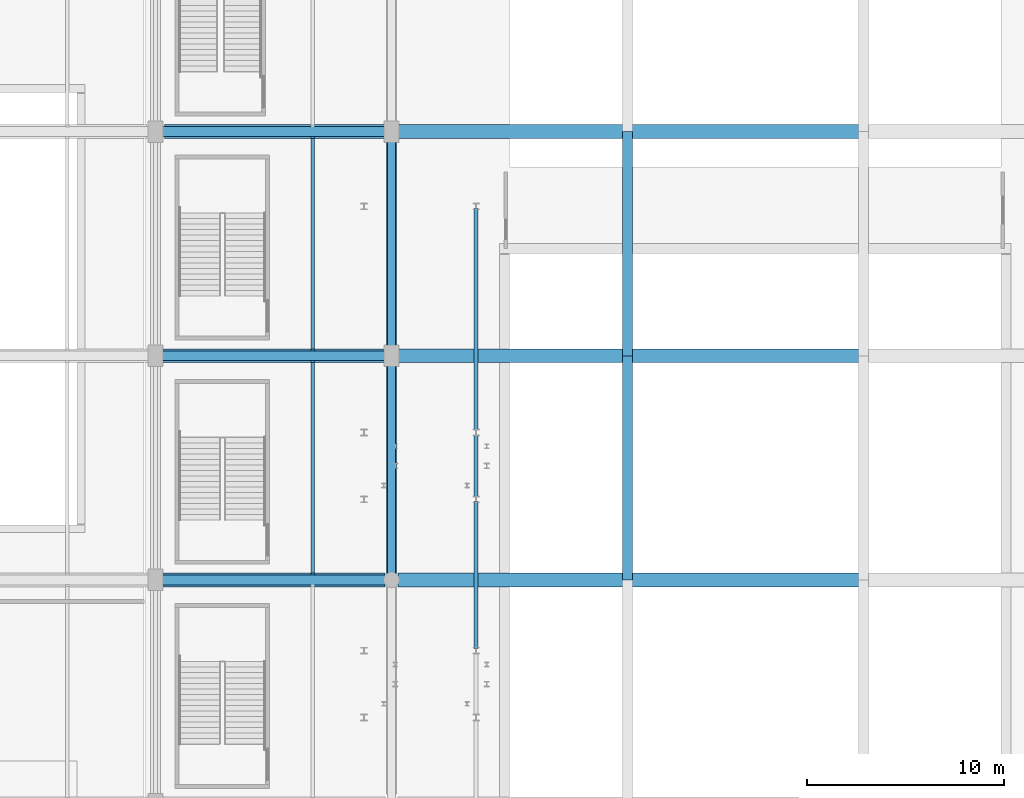
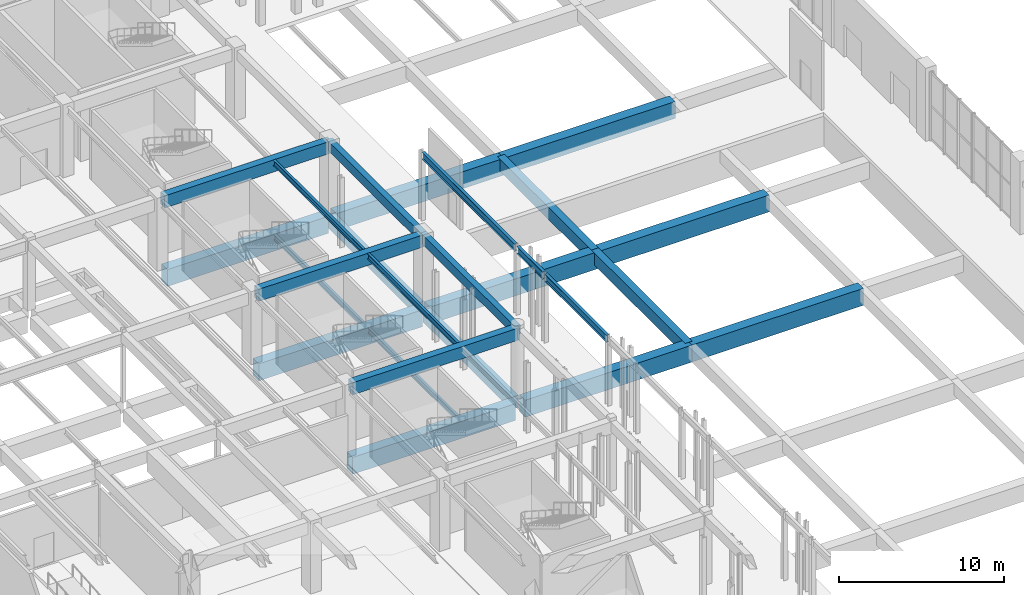
# One storey, part 65 of 113: 25 beams.
"""IFC4 building model written with IfcOpenShell, lengths in metres."""

import ifcopenshell
import ifcopenshell.guid

model = None  # the IFC model being written
_history = None  # IfcOwnerHistory: only IFC2X3 demands one
_inside = {}  # id of a spatial element -> (the spatial element, [elements in it])
_under = {}  # id of a project, library or spatial element -> (it, [spatial elements below it])
_declared = {}  # id of a project -> (the project, [libraries it declares])
_typed = {}  # id of a type object -> (the type object, [elements of that type])
_made_of = {}  # id of a material, layer set ... -> (it, [elements and type objects made of it])


def new_model(schema):
    """Start an empty IFC model of exactly this schema.

    Asked for "IFC4X3", IfcOpenShell would pick the latest addendum, in which some entities
    have other attributes; the version numbers below select the first issue.
    IFC2X3 requires an IfcOwnerHistory on every rooted entity: one is made here for all.
    """
    global model, _history
    if schema == "IFC4X3":
        model = ifcopenshell.file(schema_version=(4, 3, 0, 0))
    else:
        model = ifcopenshell.file(schema=schema)
    _inside.clear()
    _under.clear()
    _declared.clear()
    _typed.clear()
    _made_of.clear()
    _history = None
    if model.schema == "IFC2X3":
        org = make("IfcOrganization", Name="unknown")
        user = make(
            "IfcPersonAndOrganization",
            ThePerson=make("IfcPerson", FamilyName="unknown"),
            TheOrganization=org,
        )
        app = make(
            "IfcApplication",
            ApplicationDeveloper=org,
            Version="unknown",
            ApplicationFullName="unknown",
            ApplicationIdentifier="unknown",
        )
        _history = make(
            "IfcOwnerHistory",
            OwningUser=user,
            OwningApplication=app,
            ChangeAction="ADDED",
            CreationDate=0,
        )
    return model


def make(cls, **values):
    """One entity of the class cls with the attributes given. An attribute that is None is left unset."""
    return model.create_entity(
        cls, **{name: value for name, value in values.items() if value is not None}
    )


def rooted(cls, **values):
    """An entity with a GlobalId (a new one), such as an element, a storey or a relation."""
    return make(cls, GlobalId=ifcopenshell.guid.new(), OwnerHistory=_history, **values)


def si_unit(unit_type, name, prefix=None):
    """IfcSIUnit, for example si_unit("LENGTHUNIT", "METRE", prefix="MILLI")."""
    return make("IfcSIUnit", UnitType=unit_type, Prefix=prefix, Name=name)


def assignment(units):
    """IfcUnitAssignment: the units of a project."""
    return None if units is None else make("IfcUnitAssignment", Units=units)


def point(xyz):
    """IfcCartesianPoint."""
    return None if xyz is None else make("IfcCartesianPoint", Coordinates=xyz)


def direction(xyz):
    """IfcDirection."""
    return None if xyz is None else make("IfcDirection", DirectionRatios=xyz)


def frame(location, z_axis=None, x_axis=None):
    """IfcAxis2Placement3D, a coordinate frame: its origin and axes. An axis left out is left unset."""
    return make(
        "IfcAxis2Placement3D",
        Location=point(location),
        Axis=direction(z_axis),
        RefDirection=direction(x_axis),
    )


def frame_2d(location, x_axis=None):
    """IfcAxis2Placement2D, a coordinate frame in the plane: its origin and x axis."""
    return make(
        "IfcAxis2Placement2D", Location=point(location), RefDirection=direction(x_axis)
    )


def origin():
    """The frame at (0, 0, 0) with its axes left unset."""
    return frame((0.0, 0.0, 0.0))


def origin_2d():
    """The frame at (0, 0) in the plane with its x axis left unset."""
    return frame_2d((0.0, 0.0))


def place(relative_to, where):
    """IfcLocalPlacement: puts the frame where relative to a parent placement (None: the world)."""
    return make(
        "IfcLocalPlacement", PlacementRelTo=relative_to, RelativePlacement=where
    )


def context(
    kind, dimensions, precision=None, world=None, true_north=None, identifier=None
):
    """IfcGeometricRepresentationContext, for example the 3D "Model" context."""
    return make(
        "IfcGeometricRepresentationContext",
        ContextIdentifier=identifier,
        ContextType=kind,
        CoordinateSpaceDimension=dimensions,
        Precision=precision,
        WorldCoordinateSystem=world,
        TrueNorth=true_north,
    )


def subcontext(parent, identifier, kind, view, scale=None):
    """IfcGeometricRepresentationSubContext, for example "Body" below "Model"."""
    return make(
        "IfcGeometricRepresentationSubContext",
        ContextIdentifier=identifier,
        ContextType=kind,
        ParentContext=parent,
        TargetScale=scale,
        TargetView=view,
    )


def project(units=None, contexts=None):
    """IfcProject with its units and contexts."""
    return rooted(
        "IfcProject",
        Name="project",
        RepresentationContexts=contexts,
        UnitsInContext=assignment(units),
    )


def spatial(cls, under=None, at=None, **own):
    """A site, building, storey or space (cls), placed at a placement, below another one or the project."""
    s = rooted(cls, ObjectPlacement=at, **own)
    if under is not None:
        _under.setdefault(under.id(), (under, []))[1].append(s)
    return s


def profile(cls, at=None, kind="AREA", **sizes):
    """A parametric profile (cls). Its sizes go by their IFC names, for example OverallWidth=200.0."""
    return make(cls, ProfileType=kind, Position=at, **sizes)


def rectangle(**sizes):
    """IfcRectangleProfileDef."""
    return profile("IfcRectangleProfileDef", **sizes)


def i_section(**sizes):
    """IfcIShapeProfileDef."""
    return profile("IfcIShapeProfileDef", **sizes)


def extrude(swept, where, along, depth):
    """IfcExtrudedAreaSolid: the profile swept, set in the frame where, extruded along a direction by depth."""
    return make(
        "IfcExtrudedAreaSolid",
        SweptArea=swept,
        Position=where,
        ExtrudedDirection=direction(along),
        Depth=depth,
    )


def shape(context_of_items, identifier, shape_type, items):
    """IfcShapeRepresentation: the items that make up one representation, for example the "Body"."""
    return make(
        "IfcShapeRepresentation",
        ContextOfItems=context_of_items,
        RepresentationIdentifier=identifier,
        RepresentationType=shape_type,
        Items=items,
    )


def material(Name=None, Category=None):
    """IfcMaterial."""
    return make("IfcMaterial", Name=Name, Category=Category)


def material_profile(
    of_material, cross_section, Name=None, Category=None, Priority=None
):
    """IfcMaterialProfile: a cross section and its material."""
    return make(
        "IfcMaterialProfile",
        Name=Name,
        Material=of_material,
        Profile=cross_section,
        Priority=Priority,
        Category=Category,
    )


def profile_set(profiles, Name=None, composite=None):
    """IfcMaterialProfileSet."""
    return make(
        "IfcMaterialProfileSet",
        Name=Name,
        MaterialProfiles=profiles,
        CompositeProfile=composite,
    )


def made_of(thing, what):
    """Note that an element or type object is made of a material, layer set ...; save() writes the relation."""
    if what is not None:
        _made_of.setdefault(what.id(), (what, []))[1].append(thing)
    return thing


def type_object(cls, material=None, **own):
    """A type object (cls), such as IfcWallType, which elements share."""
    return made_of(rooted(cls, **own), material)


def element(
    cls,
    number,
    at=None,
    inside=None,
    cuts=None,
    type_object=None,
    material=None,
    context=None,
    identifier="Body",
    shape_type=None,
    held_by="IfcProductDefinitionShape",
    body=None,
    shapes=None,
    **own,
):
    """One element of the class cls, such as IfcWall. Its Tag is "e" and its number.

    at: its placement. inside: the storey or other place that contains it. cuts: it is an
    opening in that element (IfcRelVoidsElement). A single representation is given by context,
    identifier, shape_type and body (its items); several are given by shapes. held_by: the class
    of the entity that holds the representations. save() writes the other relations.
    """
    e = rooted(cls, Tag="e%d" % number, ObjectPlacement=at, **own)
    if body is not None:
        shapes = [shape(context, identifier, shape_type, body)]
    if shapes is not None:
        e.Representation = make(held_by, Representations=shapes)
    if inside is not None:
        _inside.setdefault(inside.id(), (inside, []))[1].append(e)
    if cuts is not None:
        rooted(
            "IfcRelVoidsElement", RelatingBuildingElement=cuts, RelatedOpeningElement=e
        )
    if type_object is not None:
        _typed.setdefault(type_object.id(), (type_object, []))[1].append(e)
    return made_of(e, material)


def aggregate(whole, parts):
    """IfcRelAggregates: a whole, such as a stair, and the parts it consists of."""
    return rooted("IfcRelAggregates", RelatingObject=whole, RelatedObjects=parts)


def save(model, path):
    """Write the relations noted so far, then the file.

    IfcRelAggregates (storeys below a building ...), IfcRelContainedInSpatialStructure (elements
    in a storey), IfcRelDefinesByType, IfcRelAssociatesMaterial and IfcRelDeclares: one each for
    every whole, place, type object, material and project.
    """
    for whole, parts in _under.values():
        aggregate(whole, parts)
    for where, things in _inside.values():
        rooted(
            "IfcRelContainedInSpatialStructure",
            RelatedElements=things,
            RelatingStructure=where,
        )
    for kind, things in _typed.values():
        rooted("IfcRelDefinesByType", RelatedObjects=things, RelatingType=kind)
    for what, things in _made_of.values():
        rooted("IfcRelAssociatesMaterial", RelatedObjects=things, RelatingMaterial=what)
    for by, libraries in _declared.values():
        rooted("IfcRelDeclares", RelatingContext=by, RelatedDefinitions=libraries)
    model.write(path)


model = new_model("IFC4")

# Units and contexts
model_context = context("Model", 3, precision=1e-05, world=origin(), true_north=direction((0.0, 1.0)))
body_context = subcontext(model_context, "Body", "Model", "MODEL_VIEW")
ifc_project = project(units=[si_unit("LENGTHUNIT", "METRE"), si_unit("AREAUNIT", "SQUARE_METRE"), si_unit("VOLUMEUNIT", "CUBIC_METRE"), si_unit("PLANEANGLEUNIT", "RADIAN"), si_unit("MASSUNIT", "GRAM", prefix="KILO"), si_unit("POWERUNIT", "WATT"), si_unit("THERMODYNAMICTEMPERATUREUNIT", "KELVIN")], contexts=[model_context])

# Site, building, storey
site_placement = place(None, origin())
site = spatial("IfcSite", under=ifc_project, at=site_placement, CompositionType="ELEMENT")
building_placement = place(site_placement, origin())
building = spatial("IfcBuilding", under=site, at=building_placement, Name="Kelmbourne Parkland Aquatics Centre", CompositionType="ELEMENT")
storey_placement = place(building_placement, origin())
storey = spatial("IfcBuildingStorey", under=building, at=storey_placement, Name="L00", CompositionType="ELEMENT", Elevation=0.0)

# Beams
ifc_material_1 = material(Name="Concrete C40/50", Category="concrete")
ifc_material_profile_1 = material_profile(ifc_material_1, rectangle(XDim=0.5, YDim=0.89990234375, at=origin_2d()), Name="RC 500x900")
ifc_profile_set_1 = profile_set([ifc_material_profile_1], Name="Concrete C40/50")
beam_type_1 = type_object("IfcBeamType", Name="BM-G03", PredefinedType="BEAM", material=ifc_profile_set_1)
beam_1_placement = place(storey_placement, frame((140.0, 69.530029296875, -0.72998046875), z_axis=(0.0, 1.0, 0.0), x_axis=(-1.0, 0.0, 0.0)))
element("IfcBeam", 1, at=beam_1_placement, inside=storey, type_object=beam_type_1, Name="Primary girder 10-11 Grid Q (L00)", PredefinedType="BEAM", context=body_context, shape_type="SweptSolid", body=[
    extrude(rectangle(XDim=0.5, YDim=0.89990234375, at=origin_2d()), origin(), (0.0, 0.0, 1.0), 10.6650390625),
])
beam_2_placement = place(storey_placement, frame((140.0, 81.0048828125, -0.72998046875), z_axis=(0.0, 1.0, 0.0), x_axis=(-1.0, 0.0, 0.0)))
element("IfcBeam", 2, at=beam_2_placement, inside=storey, type_object=beam_type_1, Name="Primary girder 11-12 Grid Q (L00)", PredefinedType="BEAM", context=body_context, shape_type="SweptSolid", body=[
    extrude(rectangle(XDim=0.5, YDim=0.89990234375, at=origin_2d()), origin(), (0.0, 0.0, 1.0), 10.715087890625),
])
beam_3_placement = place(storey_placement, frame((152.0, 69.199951171875, -0.72998046875), z_axis=(0.0, 1.0, 0.0), x_axis=(-1.0, 0.0, 0.0)))
element("IfcBeam", 3, at=beam_3_placement, inside=storey, type_object=beam_type_1, Name="Primary girder 10-11 Grid R (L00)", PredefinedType="BEAM", context=body_context, shape_type="SweptSolid", body=[
    extrude(rectangle(XDim=0.5, YDim=0.89990234375, at=origin_2d()), origin(), (0.0, 0.0, 1.0), 11.400146484375),
])
beam_4_placement = place(storey_placement, frame((152.0, 80.60009765625, -0.72998046875), z_axis=(0.0, 1.0, 0.0), x_axis=(-1.0, 0.0, 0.0)))
element("IfcBeam", 4, at=beam_4_placement, inside=storey, type_object=beam_type_1, Name="Primary girder 11-12 Grid R (L00)", PredefinedType="BEAM", context=body_context, shape_type="SweptSolid", body=[
    extrude(rectangle(XDim=0.5, YDim=0.89990234375, at=origin_2d()), origin(), (0.0, 0.0, 1.0), 11.39990234375),
])
for number, where, z_axis, x_axis, name in (
    (5, (128.330078125, 69.199951171875, 4.7099609375), (1.0, 0.0, 0.0), (0.0, 1.0, 0.0), "Primary girder P-Q Grid 10 (L01)"),
    (6, (128.330078125, 80.60009765625, 4.7099609375), (1.0, 0.0, 0.0), (0.0, 1.0, 0.0), "Primary girder P-Q Grid 11 (L01)"),
    (7, (128.330078125, 92.0, 4.7099609375), (1.0, 0.0, 0.0), (0.0, 1.0, 0.0), "Primary girder P-Q Grid 12 (L01)"),
):
    element("IfcBeam", number, at=place(storey_placement, frame(where, z_axis=z_axis, x_axis=x_axis)), inside=storey, type_object=beam_type_1, Name=name, PredefinedType="BEAM", context=body_context, shape_type="SweptSolid", body=[
        extrude(rectangle(XDim=0.5, YDim=0.89990234375, at=origin_2d()), origin(), (0.0, 0.0, 1.0), 11.669921875),
    ])
ifc_material_profile_2 = material_profile(ifc_material_1, rectangle(XDim=0.39990234375, YDim=0.699951171875, at=origin_2d()), Name="RC 400x700")
ifc_profile_set_2 = profile_set([ifc_material_profile_2], Name="Concrete C40/50")
beam_type_2 = type_object("IfcBeamType", Name="BM-G05", PredefinedType="BEAM", material=ifc_profile_set_2)
beam_5_placement = place(storey_placement, frame((140.0, 69.199951171875, 4.81005859375), z_axis=(0.0, 1.0, 0.0), x_axis=(-1.0, 0.0, 0.0)))
element("IfcBeam", 8, at=beam_5_placement, inside=storey, type_object=beam_type_2, Name="Primary girder 10-11 Grid Q (L01)", PredefinedType="BEAM", context=body_context, shape_type="SweptSolid", body=[
    extrude(rectangle(XDim=0.39990234375, YDim=0.699951171875, at=origin_2d()), origin(), (0.0, 0.0, 1.0), 11.400146484375),
])
beam_6_placement = place(storey_placement, frame((140.0, 80.60009765625, 4.81005859375), z_axis=(0.0, 1.0, 0.0), x_axis=(-1.0, 0.0, 0.0)))
element("IfcBeam", 9, at=beam_6_placement, inside=storey, type_object=beam_type_2, Name="Primary girder 11-12 Grid Q (L01)", PredefinedType="BEAM", context=body_context, shape_type="SweptSolid", body=[
    extrude(rectangle(XDim=0.39990234375, YDim=0.699951171875, at=origin_2d()), origin(), (0.0, 0.0, 1.0), 11.39990234375),
])
ifc_material_2 = material(Name="Concrete C50/60", Category="concrete")
ifc_material_profile_3 = material_profile(ifc_material_2, rectangle(XDim=0.699951171875, YDim=1.25, at=origin_2d()), Name="RC 700x1250")
ifc_profile_set_3 = profile_set([ifc_material_profile_3], Name="Concrete C50/60")
beam_type_3 = type_object("IfcBeamType", Name="BM-G08", PredefinedType="BEAM", material=ifc_profile_set_3)
beam_7_placement = place(storey_placement, frame((128.2548828125, 69.199951171875, -0.905029296875), z_axis=(1.0, 0.0, 0.0), x_axis=(0.0, 1.0, 0.0)))
element("IfcBeam", 10, at=beam_7_placement, inside=storey, type_object=beam_type_3, Name="Primary girder P-Q Grid 10 (L00)", PredefinedType="BEAM", context=body_context, shape_type="SweptSolid", body=[
    extrude(rectangle(XDim=0.699951171875, YDim=1.25, at=origin_2d()), origin(), (0.0, 0.0, 1.0), 11.4150390625),
])
beam_8_placement = place(storey_placement, frame((140.330078125, 69.199951171875, -0.905029296875), z_axis=(1.0, 0.0, 0.0), x_axis=(0.0, 1.0, 0.0)))
element("IfcBeam", 11, at=beam_8_placement, inside=storey, type_object=beam_type_3, Name="Primary girder Q-R Grid 10 (L00)", PredefinedType="BEAM", context=body_context, shape_type="SweptSolid", body=[
    extrude(rectangle(XDim=0.699951171875, YDim=1.25, at=origin_2d()), origin(), (0.0, 0.0, 1.0), 11.669921875),
])
beam_9_placement = place(storey_placement, frame((152.0, 69.199951171875, -0.905029296875), z_axis=(1.0, 0.0, 0.0), x_axis=(0.0, 1.0, 0.0)))
element("IfcBeam", 12, at=beam_9_placement, inside=storey, type_object=beam_type_3, Name="Primary girder R-S Grid 10 (L00)", PredefinedType="BEAM", context=body_context, shape_type="SweptSolid", body=[
    extrude(rectangle(XDim=0.699951171875, YDim=1.25, at=origin_2d()), origin(), (0.0, 0.0, 1.0), 12.0),
])
beam_10_placement = place(storey_placement, frame((128.280029296875, 80.60009765625, -0.905029296875), z_axis=(1.0, 0.0, 0.0), x_axis=(0.0, 1.0, 0.0)))
element("IfcBeam", 13, at=beam_10_placement, inside=storey, type_object=beam_type_3, Name="Primary girder P-Q Grid 11 (L00)", PredefinedType="BEAM", context=body_context, shape_type="SweptSolid", body=[
    extrude(rectangle(XDim=0.699951171875, YDim=1.25, at=origin_2d()), origin(), (0.0, 0.0, 1.0), 11.465087890625),
])
beam_11_placement = place(storey_placement, frame((140.2548828125, 80.60009765625, -0.905029296875), z_axis=(1.0, 0.0, 0.0), x_axis=(0.0, 1.0, 0.0)))
element("IfcBeam", 14, at=beam_11_placement, inside=storey, type_object=beam_type_3, Name="Primary girder Q-R Grid 11 (L00)", PredefinedType="BEAM", context=body_context, shape_type="SweptSolid", body=[
    extrude(rectangle(XDim=0.699951171875, YDim=1.25, at=origin_2d()), origin(), (0.0, 0.0, 1.0), 11.7451171875),
])
beam_12_placement = place(storey_placement, frame((152.0, 80.60009765625, -0.905029296875), z_axis=(1.0, 0.0, 0.0), x_axis=(0.0, 1.0, 0.0)))
element("IfcBeam", 15, at=beam_12_placement, inside=storey, type_object=beam_type_3, Name="Primary girder R-S Grid 11 (L00)", PredefinedType="BEAM", context=body_context, shape_type="SweptSolid", body=[
    extrude(rectangle(XDim=0.699951171875, YDim=1.25, at=origin_2d()), origin(), (0.0, 0.0, 1.0), 12.0),
])
beam_13_placement = place(storey_placement, frame((128.455078125, 92.0, -0.905029296875), z_axis=(1.0, 0.0, 0.0), x_axis=(0.0, 1.0, 0.0)))
element("IfcBeam", 16, at=beam_13_placement, inside=storey, type_object=beam_type_3, Name="Primary girder P-Q Grid 12 (L00)", PredefinedType="BEAM", context=body_context, shape_type="SweptSolid", body=[
    extrude(rectangle(XDim=0.699951171875, YDim=1.25, at=origin_2d()), origin(), (0.0, 0.0, 1.0), 11.264892578125),
])
beam_14_placement = place(storey_placement, frame((140.280029296875, 92.0, -0.905029296875), z_axis=(1.0, 0.0, 0.0), x_axis=(0.0, 1.0, 0.0)))
element("IfcBeam", 17, at=beam_14_placement, inside=storey, type_object=beam_type_3, Name="Primary girder Q-R Grid 12 (L00)", PredefinedType="BEAM", context=body_context, shape_type="SweptSolid", body=[
    extrude(rectangle(XDim=0.699951171875, YDim=1.25, at=origin_2d()), origin(), (0.0, 0.0, 1.0), 11.719970703125),
])
beam_15_placement = place(storey_placement, frame((152.0, 92.0, -0.905029296875), z_axis=(1.0, 0.0, 0.0), x_axis=(0.0, 1.0, 0.0)))
element("IfcBeam", 18, at=beam_15_placement, inside=storey, type_object=beam_type_3, Name="Primary girder R-S Grid 12 (L00)", PredefinedType="BEAM", context=body_context, shape_type="SweptSolid", body=[
    extrude(rectangle(XDim=0.699951171875, YDim=1.25, at=origin_2d()), origin(), (0.0, 0.0, 1.0), 12.0),
])
ifc_material_3 = material(Name="Structural steel AS/NZS 3679.1 Grade 300", Category="steel")
ifc_material_profile_4 = material_profile(ifc_material_3, i_section(OverallWidth=0.177978515625, OverallDepth=0.406005859375, WebThickness=0.0078125, FlangeThickness=0.0126953125, at=origin_2d()), Name="410UB59.7")
ifc_profile_set_4 = profile_set([ifc_material_profile_4], Name="Structural steel AS/NZS 3679.1 Grade 300")
beam_type_4 = type_object("IfcBeamType", Name="BM-J01", PredefinedType="JOIST", material=ifc_profile_set_4)
for number, where, z_axis, x_axis, name in (
    (19, (136.0, 69.5419921875, -0.48291015625), (0.0, 1.0, 0.0), (-1.0, 0.0, 0.0), "Secondary floor joist P-Q/10-11 #2 (L00)"),
    (20, (136.0, 80.94189453125, -0.48291015625), (0.0, 1.0, 0.0), (-1.0, 0.0, 0.0), "Secondary floor joist P-Q/11-12 #2 (L00)"),
):
    element("IfcBeam", number, at=place(storey_placement, frame(where, z_axis=z_axis, x_axis=x_axis)), inside=storey, type_object=beam_type_4, Name=name, PredefinedType="JOIST", context=body_context, shape_type="SweptSolid", body=[
        extrude(i_section(OverallWidth=0.177978515625, OverallDepth=0.406005859375, WebThickness=0.0078125, FlangeThickness=0.0126953125, at=origin_2d()), origin(), (0.0, 0.0, 1.0), 10.716064453125),
    ])
for number, where, z_axis, x_axis, name in (
    (21, (136.0, 69.44189453125, 4.95703125), (0.0, 1.0, 0.0), (-1.0, 0.0, 0.0), "Secondary floor joist P-Q/10-11 #2 (L01)"),
    (22, (136.0, 80.842041015625, 4.95703125), (0.0, 1.0, 0.0), (-1.0, 0.0, 0.0), "Secondary floor joist P-Q/11-12 #2 (L01)"),
):
    element("IfcBeam", number, at=place(storey_placement, frame(where, z_axis=z_axis, x_axis=x_axis)), inside=storey, type_object=beam_type_4, Name=name, PredefinedType="JOIST", context=body_context, shape_type="SweptSolid", body=[
        extrude(i_section(OverallWidth=0.177978515625, OverallDepth=0.406005859375, WebThickness=0.0078125, FlangeThickness=0.0126953125, at=origin_2d()), origin(), (0.0, 0.0, 1.0), 10.916015625),
    ])
ifc_material_profile_5 = material_profile(ifc_material_3, i_section(OverallWidth=0.208984375, OverallDepth=0.532958984375, WebThickness=0.01025390625, FlangeThickness=0.015625, at=origin_2d()), Name="530UB92.4")
ifc_profile_set_5 = profile_set([ifc_material_profile_5], Name="Structural steel AS/NZS 3679.1 Grade 300")
beam_type_5 = type_object("IfcBeamType", Name="BM-RAKER", PredefinedType="USERDEFINED", material=ifc_profile_set_5)
beam_16_placement = place(storey_placement, frame((144.300048828125, 65.719970703125, 4.820068359375), z_axis=(0.0, 1.0, 0.0), x_axis=(-1.0, 0.0, 0.0)))
element("IfcBeam", 23, at=beam_16_placement, inside=storey, type_object=beam_type_5, Name="Bowl front tie beam 08", PredefinedType="BEAM", context=body_context, shape_type="SweptSolid", body=[
    extrude(i_section(OverallWidth=0.208984375, OverallDepth=0.532958984375, WebThickness=0.01025390625, FlangeThickness=0.015625, at=origin_2d()), origin(), (0.0, 0.0, 1.0), 7.4599609375),
])
beam_17_placement = place(storey_placement, frame((144.300048828125, 73.419921875, 4.820068359375), z_axis=(0.0, 1.0, 0.0), x_axis=(-1.0, 0.0, 0.0)))
element("IfcBeam", 24, at=beam_17_placement, inside=storey, type_object=beam_type_5, Name="Bowl front tie beam 09", PredefinedType="BEAM", context=body_context, shape_type="SweptSolid", body=[
    extrude(i_section(OverallWidth=0.208984375, OverallDepth=0.532958984375, WebThickness=0.01025390625, FlangeThickness=0.015625, at=origin_2d()), origin(), (0.0, 0.0, 1.0), 3.16015625),
])
beam_18_placement = place(storey_placement, frame((144.300048828125, 76.820068359375, 4.820068359375), z_axis=(0.0, 1.0, 0.0), x_axis=(-1.0, 0.0, 0.0)))
element("IfcBeam", 25, at=beam_18_placement, inside=storey, type_object=beam_type_5, Name="Bowl front tie beam 10", PredefinedType="BEAM", context=body_context, shape_type="SweptSolid", body=[
    extrude(i_section(OverallWidth=0.208984375, OverallDepth=0.532958984375, WebThickness=0.01025390625, FlangeThickness=0.015625, at=origin_2d()), origin(), (0.0, 0.0, 1.0), 11.260009765625),
])

save(model, "model.ifc")
